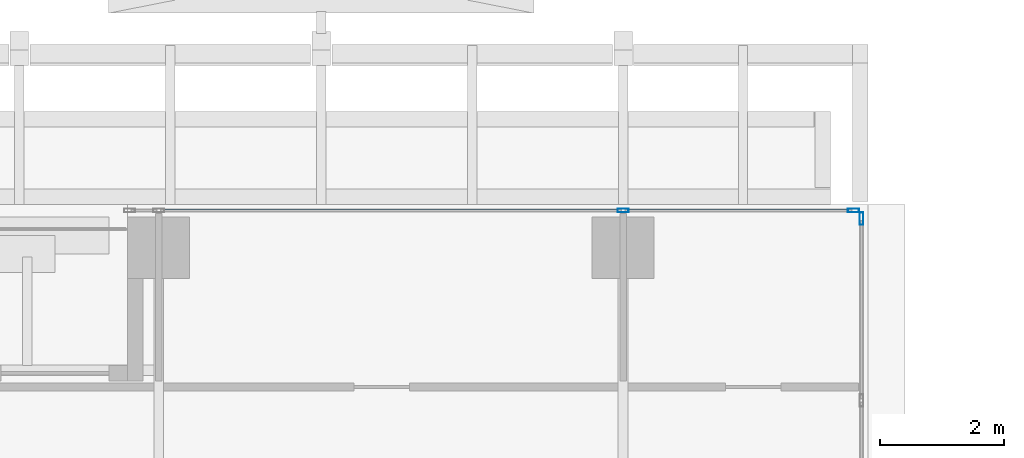
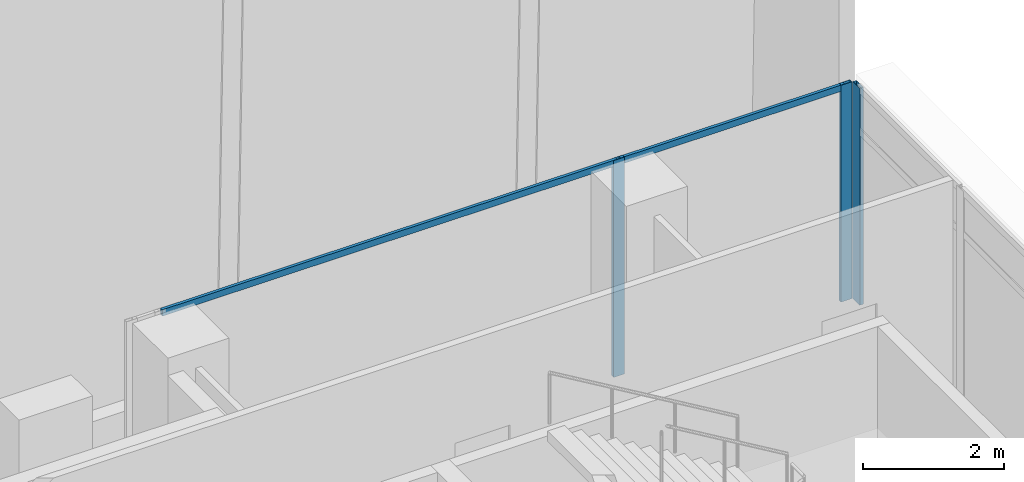
# One storey, part 22 of 43: 5 members, 2 elements without a shape of their own.
"""IFC4 building model written with IfcOpenShell, lengths in metres."""

from ifc_helpers import new_model, si_unit, direction, frame, origin, origin_2d, place, context, subcontext, project, spatial, hollow_rectangle, extrude, source, transform, mapped, material, material_profile, profile_set, type_object, element, aggregate, save


model = new_model("IFC4")

# Units and contexts
model_context = context("Model", 3, precision=1e-05, world=origin(), true_north=direction((0.0, 1.0)))
body_context = subcontext(model_context, "Body", "Model", "MODEL_VIEW")
ifc_project = project(units=[si_unit("LENGTHUNIT", "METRE"), si_unit("AREAUNIT", "SQUARE_METRE"), si_unit("VOLUMEUNIT", "CUBIC_METRE"), si_unit("PLANEANGLEUNIT", "RADIAN"), si_unit("MASSUNIT", "GRAM", prefix="KILO")], contexts=[model_context])

# Site, building, storey
site_placement = place(None, origin())
site = spatial("IfcSite", under=ifc_project, at=site_placement, CompositionType="ELEMENT")
building_placement = place(site_placement, origin())
building = spatial("IfcBuilding", under=site, at=building_placement, Name="Khomas Fold Tower", CompositionType="ELEMENT")
storey_placement = place(building_placement, frame((0.0, 0.0, 164.699951171875)))
storey = spatial("IfcBuildingStorey", under=building, at=storey_placement, Name="L35", CompositionType="ELEMENT", Elevation=164.699951171875)

# Curtain wall, members
ifc_material_1 = material(Name="Aluminium framed double glazing", Category="aluminium")
curtain_wall_type_1 = type_object("IfcCurtainWallType", Name="SK-Unitised clear-glass wall, office floors CW2", PredefinedType="NOTDEFINED", material=ifc_material_1)
curtain_wall_1_placement = place(storey_placement, origin())
curtain_wall_1 = element("IfcCurtainWall", 1, at=curtain_wall_1_placement, inside=storey, type_object=curtain_wall_type_1, Name="CW2 run L35 15-0", PredefinedType="NOTDEFINED")
ifc_material_2 = material(Name="Aluminium", Category="aluminium")
ifc_material_profile_1 = material_profile(ifc_material_2, hollow_rectangle(XDim=0.06005859375, YDim=0.179931640625, WallThickness=0.00390625, at=origin_2d()), Name="SK-Unitised clear-glass wall, office floors mullion CW2-M")
ifc_profile_set_1 = profile_set([ifc_material_profile_1], Name="Aluminium")
member_type_1 = type_object("IfcMemberType", Name="SK-Unitised clear-glass wall, office floors mullion CW2-M", PredefinedType="MULLION", material=ifc_profile_set_1)
shared_shape_1 = source(origin(), body_context, "Body", "SweptSolid", [
    extrude(hollow_rectangle(XDim=0.06005859375, YDim=0.179931640625, WallThickness=0.00390625, at=origin_2d()), origin(), (0.0, 0.0, 1.0), 3.75),
])
member_1_placement = place(storey_placement, frame((30.719970703125, 50.89990234375, 0.0), z_axis=(0.0, 0.0, 1.0), x_axis=(0.0, -1.0, 0.0)))
member_1 = element("IfcMember", 2, at=member_1_placement, type_object=member_type_1, Name="CW2 mullion 1", PredefinedType="MULLION", context=body_context, shape_type="MappedRepresentation", body=[
    mapped(shared_shape_1, transform((0.0, 0.0, 0.0))),
])
member_2_placement = place(storey_placement, frame((27.0, 50.89990234375, 0.0), z_axis=(0.0, 0.0, 1.0), x_axis=(0.0, -1.0, 0.0)))
member_2 = element("IfcMember", 3, at=member_2_placement, type_object=member_type_1, Name="CW2 mullion 2", PredefinedType="MULLION", context=body_context, shape_type="MappedRepresentation", body=[
    mapped(shared_shape_1, transform((0.0, 0.0, 0.0))),
])
ifc_material_3 = material(Name="Aluminium", Category="aluminium")
ifc_material_profile_2 = material_profile(ifc_material_3, hollow_rectangle(XDim=0.050048828125, YDim=0.110107421875, WallThickness=0.00390625, at=origin_2d()), Name="SK-Unitised clear-glass wall, office floors transom CW2-T")
ifc_profile_set_2 = profile_set([ifc_material_profile_2], Name="Aluminium")
member_type_2 = type_object("IfcMemberType", Name="SK-Unitised clear-glass wall, office floors transom CW2-T", PredefinedType="USERDEFINED", material=ifc_profile_set_2)
shared_shape_2 = source(origin(), body_context, "Body", "SweptSolid", [
    extrude(hollow_rectangle(XDim=0.050048828125, YDim=0.110107421875, WallThickness=0.00390625, at=origin_2d()), origin(), (0.0, 0.0, 1.0), 7.43994140625),
])
member_3_placement = place(storey_placement, frame((26.969970703125, 50.89990234375, 3.695068359375), z_axis=(-1.0, 0.0, 0.0), x_axis=(0.0, -1.0, 0.0)))
member_3 = element("IfcMember", 4, at=member_3_placement, type_object=member_type_2, Name="CW2 transom 2", ObjectType="TRANSOM", PredefinedType="USERDEFINED", context=body_context, shape_type="MappedRepresentation", body=[
    mapped(shared_shape_2, transform((0.0, 0.0, 0.0))),
])
shared_shape_3 = source(origin(), body_context, "Body", "SweptSolid", [
    extrude(hollow_rectangle(XDim=0.050048828125, YDim=0.110107421875, WallThickness=0.00390625, at=origin_2d()), origin(), (0.0, 0.0, 1.0), 3.659912109375),
])
member_4_placement = place(storey_placement, frame((30.68994140625, 50.89990234375, 3.695068359375), z_axis=(-1.0, 0.0, 0.0), x_axis=(0.0, -1.0, 0.0)))
member_4 = element("IfcMember", 5, at=member_4_placement, type_object=member_type_2, Name="CW2 transom 1", ObjectType="TRANSOM", PredefinedType="USERDEFINED", context=body_context, shape_type="MappedRepresentation", body=[
    mapped(shared_shape_3, transform((0.0, 0.0, 0.0))),
])
aggregate(curtain_wall_1, [member_1, member_2, member_4, member_3])

# Curtain wall, member
ifc_material_4 = material(Name="Aluminium framed double glazing", Category="aluminium")
curtain_wall_type_2 = type_object("IfcCurtainWallType", Name="Notch glazing GN-CW", PredefinedType="NOTDEFINED", material=ifc_material_4)
curtain_wall_2_placement = place(storey_placement, origin())
curtain_wall_2 = element("IfcCurtainWall", 6, at=curtain_wall_2_placement, inside=storey, type_object=curtain_wall_type_2, Name="Notch glazing run", PredefinedType="NOTDEFINED")
ifc_material_5 = material(Name="Aluminium", Category="aluminium")
ifc_material_profile_3 = material_profile(ifc_material_5, hollow_rectangle(XDim=0.06005859375, YDim=0.199951171875, WallThickness=0.00390625, at=origin_2d()), Name="Notch glazing mullion GN-CW-M")
ifc_profile_set_3 = profile_set([ifc_material_profile_3], Name="Aluminium")
member_type_3 = type_object("IfcMemberType", Name="Notch glazing mullion GN-CW-M", PredefinedType="MULLION", material=ifc_profile_set_3)
shared_shape_4 = source(origin(), body_context, "Body", "SweptSolid", [
    extrude(hollow_rectangle(XDim=0.06005859375, YDim=0.199951171875, WallThickness=0.00390625, at=origin_2d()), origin(), (0.0, 0.0, 1.0), 3.75),
])
member_5_placement = place(storey_placement, frame((30.85009765625, 50.77001953125, 0.0), z_axis=(0.0, 0.0, 1.0), x_axis=(-1.0, 0.0, 0.0)))
member_5 = element("IfcMember", 7, at=member_5_placement, type_object=member_type_3, Name="GN-CW mullion 7", PredefinedType="MULLION", context=body_context, shape_type="MappedRepresentation", body=[
    mapped(shared_shape_4, transform((0.0, 0.0, 0.0))),
])
aggregate(curtain_wall_2, [member_5])

save(model, "model.ifc")
